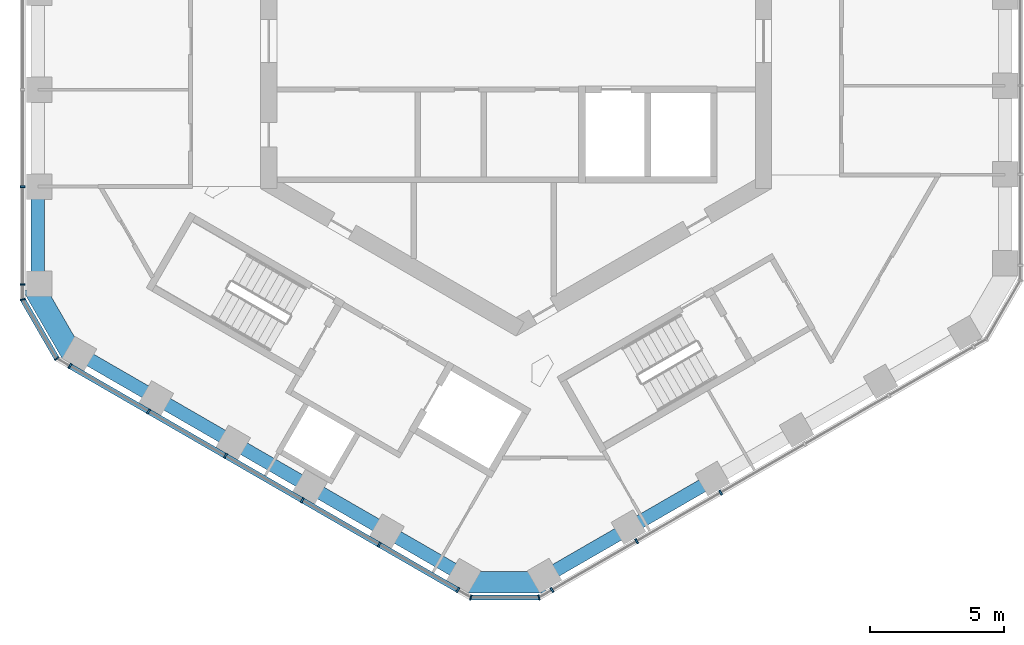
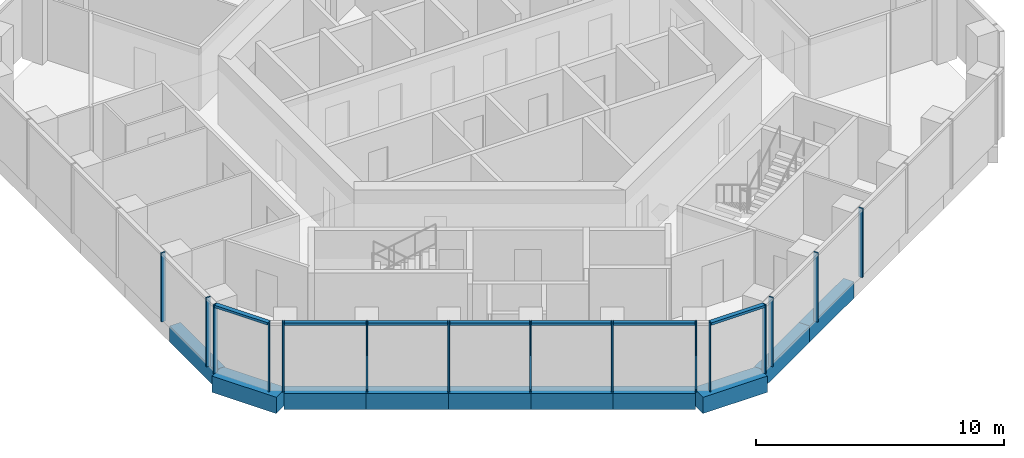
# One storey, part 2 of 18: 18 members, 10 beams, 5 elements without a shape of their own.
"""IFC4 building model written with IfcOpenShell, lengths in metres."""

from ifc_helpers import new_model, si_unit, direction, frame, origin, origin_2d, place, context, subcontext, project, spatial, rectangle, extrude, material, layer, layer_set, material_profile, profile_set, type_object, element, aggregate, save


model = new_model("IFC4")

# Units and contexts
model_context = context("Model", 3, precision=1e-05, world=origin(), true_north=direction((0.0, 1.0)))
body_context = subcontext(model_context, "Body", "Model", "MODEL_VIEW")
ifc_project = project(units=[si_unit("LENGTHUNIT", "METRE"), si_unit("AREAUNIT", "SQUARE_METRE"), si_unit("VOLUMEUNIT", "CUBIC_METRE"), si_unit("PLANEANGLEUNIT", "RADIAN"), si_unit("MASSUNIT", "GRAM", prefix="KILO")], contexts=[model_context])

# Site, building, storey
site_placement = place(None, origin())
site = spatial("IfcSite", under=ifc_project, at=site_placement, CompositionType="ELEMENT")
building_placement = place(site_placement, origin())
building = spatial("IfcBuilding", under=site, at=building_placement, Name="Ayvan Gate Tower", CompositionType="ELEMENT")
storey_placement = place(building_placement, frame((0.0, 0.0, 176.5)))
storey = spatial("IfcBuildingStorey", under=building, at=storey_placement, Name="L47", CompositionType="ELEMENT", Elevation=176.5)

# Beams
ifc_material_1 = material(Name="Concrete C40/50", Category="concrete")
ifc_material_profile_1 = material_profile(ifc_material_1, rectangle(XDim=0.800048828125, YDim=0.800048828125, at=origin_2d()), Name="RC 800x800")
ifc_profile_set_1 = profile_set([ifc_material_profile_1], Name="Concrete C40/50")
beam_type_1 = type_object("IfcBeamType", Name="Corner spandrel beam RC 800x800 C40/50", PredefinedType="BEAM", material=ifc_profile_set_1)
beam_1_placement = place(storey_placement, frame((-17.974609375, -9.1103515625, -0.75), z_axis=(0.50002537861, -0.866010750942, 0.0), x_axis=(0.866010750942, 0.50002537861, 0.0)))
element("IfcBeam", 1, at=beam_1_placement, inside=storey, type_object=beam_type_1, Name="SB-L47-24", PredefinedType="BEAM", context=body_context, shape_type="SweptSolid", body=[
    extrude(rectangle(XDim=0.800048828125, YDim=0.800048828125, at=origin_2d()), origin(), (0.0, 0.0, 1.0), 2.999755859375),
])
beam_2_placement = place(storey_placement, frame((-1.90234375, -20.12158203125, -0.75), z_axis=(1.0, 0.0, 0.0), x_axis=(0.0, 1.0, 0.0)))
element("IfcBeam", 2, at=beam_2_placement, inside=storey, type_object=beam_type_1, Name="SB-L47-30", PredefinedType="BEAM", context=body_context, shape_type="SweptSolid", body=[
    extrude(rectangle(XDim=0.800048828125, YDim=0.800048828125, at=origin_2d()), origin(), (0.0, 0.0, 1.0), 3.0),
])
ifc_material_profile_2 = material_profile(ifc_material_1, rectangle(XDim=0.5, YDim=0.800048828125, at=origin_2d()), Name="RC 500x800")
ifc_profile_set_2 = profile_set([ifc_material_profile_2], Name="Concrete C40/50")
beam_type_2 = type_object("IfcBeamType", Name="Spandrel beam RC 500x800 C40/50", PredefinedType="BEAM", material=ifc_profile_set_2)
beam_3_placement = place(storey_placement, frame((-17.7841796875, -5.400146484375, -0.75), z_axis=(0.0, -1.0, 0.0), x_axis=(1.0, 0.0, 0.0)))
element("IfcBeam", 3, at=beam_3_placement, inside=storey, type_object=beam_type_2, Name="SB-L47-23", PredefinedType="BEAM", context=body_context, shape_type="SweptSolid", body=[
    extrude(rectangle(XDim=0.5, YDim=0.800048828125, at=origin_2d()), origin(), (0.0, 0.0, 1.0), 3.60009765625),
])
beam_4_placement = place(storey_placement, frame((-16.2841796875, -11.598388671875, -0.75), z_axis=(0.86603625305, -0.49998120805, 0.0), x_axis=(0.49998120805, 0.86603625305, 0.0)))
element("IfcBeam", 4, at=beam_4_placement, inside=storey, type_object=beam_type_2, Name="SB-L47-25", PredefinedType="BEAM", context=body_context, shape_type="SweptSolid", body=[
    extrude(rectangle(XDim=0.5, YDim=0.800048828125, at=origin_2d()), origin(), (0.0, 0.0, 1.0), 3.321533203125),
])
beam_5_placement = place(storey_placement, frame((-13.40771484375, -13.259033203125, -0.75), z_axis=(0.866017876419, -0.500013037552, 0.0), x_axis=(0.500013037552, 0.866017876419, 0.0)))
element("IfcBeam", 5, at=beam_5_placement, inside=storey, type_object=beam_type_2, Name="SB-L47-26", PredefinedType="BEAM", context=body_context, shape_type="SweptSolid", body=[
    extrude(rectangle(XDim=0.5, YDim=0.800048828125, at=origin_2d()), origin(), (0.0, 0.0, 1.0), 3.3212890625),
])
beam_6_placement = place(storey_placement, frame((-10.531494140625, -14.919677734375, -0.75), z_axis=(0.86603625305, -0.49998120805, 0.0), x_axis=(0.49998120805, 0.86603625305, 0.0)))
element("IfcBeam", 6, at=beam_6_placement, inside=storey, type_object=beam_type_2, Name="SB-L47-27", PredefinedType="BEAM", context=body_context, shape_type="SweptSolid", body=[
    extrude(rectangle(XDim=0.5, YDim=0.800048828125, at=origin_2d()), origin(), (0.0, 0.0, 1.0), 3.321533203125),
])
beam_7_placement = place(storey_placement, frame((-7.655029296875, -16.580322265625, -0.75), z_axis=(0.866017876419, -0.500013037552, 0.0), x_axis=(0.500013037552, 0.866017876419, 0.0)))
element("IfcBeam", 7, at=beam_7_placement, inside=storey, type_object=beam_type_2, Name="SB-L47-28", PredefinedType="BEAM", context=body_context, shape_type="SweptSolid", body=[
    extrude(rectangle(XDim=0.5, YDim=0.800048828125, at=origin_2d()), origin(), (0.0, 0.0, 1.0), 3.3212890625),
])
beam_8_placement = place(storey_placement, frame((-4.77880859375, -18.240966796875, -0.75), z_axis=(0.86603625305, -0.49998120805, 0.0), x_axis=(0.49998120805, 0.86603625305, 0.0)))
element("IfcBeam", 8, at=beam_8_placement, inside=storey, type_object=beam_type_2, Name="SB-L47-29", PredefinedType="BEAM", context=body_context, shape_type="SweptSolid", body=[
    extrude(rectangle(XDim=0.5, YDim=0.800048828125, at=origin_2d()), origin(), (0.0, 0.0, 1.0), 3.321533203125),
])
beam_9_placement = place(storey_placement, frame((1.09765625, -19.901611328125, -0.75), z_axis=(0.866018442252, 0.500012057535, 0.0), x_axis=(-0.500012057535, 0.866018442252, 0.0)))
element("IfcBeam", 9, at=beam_9_placement, inside=storey, type_object=beam_type_2, Name="SB-L47-31", PredefinedType="BEAM", context=body_context, shape_type="SweptSolid", body=[
    extrude(rectangle(XDim=0.5, YDim=0.800048828125, at=origin_2d()), origin(), (0.0, 0.0, 1.0), 3.60009765625),
])
beam_10_placement = place(storey_placement, frame((4.21533203125, -18.1015625, -0.75), z_axis=(0.866035395735, 0.499982693035, 0.0), x_axis=(-0.499982693035, 0.866035395735, 0.0)))
element("IfcBeam", 10, at=beam_10_placement, inside=storey, type_object=beam_type_2, Name="SB-L47-32", PredefinedType="BEAM", context=body_context, shape_type="SweptSolid", body=[
    extrude(rectangle(XDim=0.5, YDim=0.800048828125, at=origin_2d()), origin(), (0.0, 0.0, 1.0), 3.600341796875),
])

# Curtain wall, members
ifc_material_2 = material(Name="Bronze anodised aluminium", Category="aluminium")
ifc_layer_1 = layer(ifc_material_2, 0.199951171875)
ifc_layer_set_1 = layer_set([ifc_layer_1], Name="Bronze anodised aluminium")
curtain_wall_type_1 = type_object("IfcCurtainWallType", Name="Stick curtain wall CW-2", PredefinedType="NOTDEFINED", material=ifc_layer_set_1)
curtain_wall_1_placement = place(storey_placement, origin())
curtain_wall_1 = element("IfcCurtainWall", 11, at=curtain_wall_1_placement, inside=storey, type_object=curtain_wall_type_1, Name="Stick curtain wall CW-2 L47", PredefinedType="NOTDEFINED")
ifc_material_profile_3 = material_profile(ifc_material_2, rectangle(XDim=0.199951171875, YDim=0.070068359375, at=origin_2d()), Name="Stick curtain wall CW-2 mullion 200 x 70")
ifc_profile_set_3 = profile_set([ifc_material_profile_3], Name="Bronze anodised aluminium")
member_type_1 = type_object("IfcMemberType", Name="Stick curtain wall CW-2 mullion 200 x 70", PredefinedType="MULLION", material=ifc_profile_set_3)
member_1_placement = place(storey_placement, frame((-18.34619140625, -5.41455078125, 0.0), z_axis=(0.0, 0.0, 1.0), x_axis=(-1.0, 0.0, 0.0)))
member_1 = element("IfcMember", 12, at=member_1_placement, type_object=member_type_1, Name="CW-2 mullion 5", PredefinedType="MULLION", context=body_context, shape_type="SweptSolid", body=[
    extrude(rectangle(XDim=0.199951171875, YDim=0.070068359375, at=origin_2d()), origin(), (0.0, 0.0, 1.0), 3.39990234375),
])
member_2_placement = place(storey_placement, frame((-18.34619140625, -9.048583984375, 0.0), z_axis=(0.0, 0.0, 1.0), x_axis=(-1.0, 0.0, 0.0)))
member_2 = element("IfcMember", 13, at=member_2_placement, type_object=member_type_1, Name="CW-2 mullion 6", PredefinedType="MULLION", context=body_context, shape_type="SweptSolid", body=[
    extrude(rectangle(XDim=0.199951171875, YDim=0.070068359375, at=origin_2d()), origin(), (0.0, 0.0, 1.0), 3.39990234375),
])
aggregate(curtain_wall_1, [member_1, member_2])

curtain_wall_2_placement = place(storey_placement, origin())
curtain_wall_2 = element("IfcCurtainWall", 14, at=curtain_wall_2_placement, inside=storey, type_object=curtain_wall_type_1, Name="Stick curtain wall CW-2 L47", PredefinedType="NOTDEFINED")
member_3_placement = place(storey_placement, frame((-16.59375, -12.08349609375, 0.0), z_axis=(0.0, 0.0, 1.0), x_axis=(-0.5, -0.866025403784, 0.0)))
member_3 = element("IfcMember", 15, at=member_3_placement, type_object=member_type_1, Name="CW-2 mullion 1", PredefinedType="MULLION", context=body_context, shape_type="SweptSolid", body=[
    extrude(rectangle(XDim=0.199951171875, YDim=0.070068359375, at=origin_2d()), origin(), (0.0, 0.0, 1.0), 3.39990234375),
])
member_4_placement = place(storey_placement, frame((-13.669189453125, -13.77197265625, 0.0), z_axis=(0.0, 0.0, 1.0), x_axis=(-0.5, -0.866025403784, 0.0)))
member_4 = element("IfcMember", 16, at=member_4_placement, type_object=member_type_1, Name="CW-2 mullion 2", PredefinedType="MULLION", context=body_context, shape_type="SweptSolid", body=[
    extrude(rectangle(XDim=0.199951171875, YDim=0.070068359375, at=origin_2d()), origin(), (0.0, 0.0, 1.0), 3.39990234375),
])
member_5_placement = place(storey_placement, frame((-10.810546875, -15.422607421875, 0.0), z_axis=(0.0, 0.0, 1.0), x_axis=(-0.5, -0.866025403784, 0.0)))
member_5 = element("IfcMember", 17, at=member_5_placement, type_object=member_type_1, Name="CW-2 mullion 3", PredefinedType="MULLION", context=body_context, shape_type="SweptSolid", body=[
    extrude(rectangle(XDim=0.199951171875, YDim=0.070068359375, at=origin_2d()), origin(), (0.0, 0.0, 1.0), 3.39990234375),
])
member_6_placement = place(storey_placement, frame((-7.950927734375, -17.073486328125, 0.0), z_axis=(0.0, 0.0, 1.0), x_axis=(-0.5, -0.866025403784, 0.0)))
member_6 = element("IfcMember", 18, at=member_6_placement, type_object=member_type_1, Name="CW-2 mullion 4", PredefinedType="MULLION", context=body_context, shape_type="SweptSolid", body=[
    extrude(rectangle(XDim=0.199951171875, YDim=0.070068359375, at=origin_2d()), origin(), (0.0, 0.0, 1.0), 3.39990234375),
])
member_7_placement = place(storey_placement, frame((-5.09228515625, -18.723876953125, 0.0), z_axis=(0.0, 0.0, 1.0), x_axis=(-0.5, -0.866025403784, 0.0)))
member_7 = element("IfcMember", 19, at=member_7_placement, type_object=member_type_1, Name="CW-2 mullion 5", PredefinedType="MULLION", context=body_context, shape_type="SweptSolid", body=[
    extrude(rectangle(XDim=0.199951171875, YDim=0.070068359375, at=origin_2d()), origin(), (0.0, 0.0, 1.0), 3.39990234375),
])
member_8_placement = place(storey_placement, frame((-2.167724609375, -20.412353515625, 0.0), z_axis=(0.0, 0.0, 1.0), x_axis=(-0.5, -0.866025403784, 0.0)))
member_8 = element("IfcMember", 20, at=member_8_placement, type_object=member_type_1, Name="CW-2 mullion 6", PredefinedType="MULLION", context=body_context, shape_type="SweptSolid", body=[
    extrude(rectangle(XDim=0.199951171875, YDim=0.070068359375, at=origin_2d()), origin(), (0.0, 0.0, 1.0), 3.39990234375),
])

curtain_wall_3_placement = place(storey_placement, origin())
curtain_wall_3 = element("IfcCurtainWall", 21, at=curtain_wall_3_placement, inside=storey, type_object=curtain_wall_type_1, Name="Stick curtain wall CW-2 L47", PredefinedType="NOTDEFINED")
member_9_placement = place(storey_placement, frame((1.3369140625, -20.412353515625, 0.0), z_axis=(0.0, 0.0, 1.0), x_axis=(0.5, -0.866025403784, 0.0)))
member_9 = element("IfcMember", 22, at=member_9_placement, type_object=member_type_1, Name="CW-2 mullion 1", PredefinedType="MULLION", context=body_context, shape_type="SweptSolid", body=[
    extrude(rectangle(XDim=0.199951171875, YDim=0.070068359375, at=origin_2d()), origin(), (0.0, 0.0, 1.0), 3.39990234375),
])
member_10_placement = place(storey_placement, frame((4.48388671875, -18.595458984375, 0.0), z_axis=(0.0, 0.0, 1.0), x_axis=(0.5, -0.866025403784, 0.0)))
member_10 = element("IfcMember", 23, at=member_10_placement, type_object=member_type_1, Name="CW-2 mullion 2", PredefinedType="MULLION", context=body_context, shape_type="SweptSolid", body=[
    extrude(rectangle(XDim=0.199951171875, YDim=0.070068359375, at=origin_2d()), origin(), (0.0, 0.0, 1.0), 3.39990234375),
])
member_11_placement = place(storey_placement, frame((7.6103515625, -16.79052734375, 0.0), z_axis=(0.0, 0.0, 1.0), x_axis=(0.5, -0.866025403784, 0.0)))
member_11 = element("IfcMember", 24, at=member_11_placement, type_object=member_type_1, Name="CW-2 mullion 3", PredefinedType="MULLION", context=body_context, shape_type="SweptSolid", body=[
    extrude(rectangle(XDim=0.199951171875, YDim=0.070068359375, at=origin_2d()), origin(), (0.0, 0.0, 1.0), 3.39990234375),
])
aggregate(curtain_wall_3, [member_9, member_10, member_11])

# Member
ifc_material_profile_4 = material_profile(ifc_material_2, rectangle(XDim=0.199951171875, YDim=0.1201171875, at=origin_2d()), Name="Stick curtain wall CW-2 transom 200 x 120")
ifc_profile_set_4 = profile_set([ifc_material_profile_4], Name="Bronze anodised aluminium")
member_type_2 = type_object("IfcMemberType", Name="Stick curtain wall CW-2 transom 200 x 120", PredefinedType="USERDEFINED", material=ifc_profile_set_4)
member_12_placement = place(storey_placement, frame((-16.59375, -12.08349609375, 3.340087890625), z_axis=(0.866025721459, -0.499999449772, 0.0), x_axis=(0.499999449772, 0.866025721459, 0.0)))
member_12 = element("IfcMember", 25, at=member_12_placement, type_object=member_type_2, Name="CW-2 transom 1", ObjectType="TRANSOM", PredefinedType="USERDEFINED", context=body_context, shape_type="SweptSolid", body=[
    extrude(rectangle(XDim=0.199951171875, YDim=0.1201171875, at=origin_2d()), origin(), (0.0, 0.0, 1.0), 16.65771484375),
])

aggregate(curtain_wall_2, [member_3, member_4, member_5, member_6, member_7, member_8, member_12])

# Curtain wall, members
ifc_layer_2 = layer(ifc_material_2, 0.199951171875)
ifc_layer_set_2 = layer_set([ifc_layer_2], Name="Bronze anodised aluminium")
curtain_wall_type_2 = type_object("IfcCurtainWallType", Name="Stick curtain wall CW-6", PredefinedType="NOTDEFINED", material=ifc_layer_set_2)
curtain_wall_4_placement = place(storey_placement, origin())
curtain_wall_4 = element("IfcCurtainWall", 26, at=curtain_wall_4_placement, inside=storey, type_object=curtain_wall_type_2, Name="Stick curtain wall CW-6 L47", PredefinedType="NOTDEFINED")
ifc_material_profile_5 = material_profile(ifc_material_2, rectangle(XDim=0.199951171875, YDim=0.050048828125, at=origin_2d()), Name="Stick curtain wall CW-6 mullion 200 x 50")
ifc_profile_set_5 = profile_set([ifc_material_profile_5], Name="Bronze anodised aluminium")
member_type_3 = type_object("IfcMemberType", Name="Stick curtain wall CW-6 mullion 200 x 50", PredefinedType="MULLION", material=ifc_profile_set_5)
member_13_placement = place(storey_placement, frame((-18.34619140625, -9.6083984375, 0.0), z_axis=(0.0, 0.0, 1.0), x_axis=(-0.965925826289, -0.258819045103, 0.0)))
member_13 = element("IfcMember", 27, at=member_13_placement, type_object=member_type_3, Name="CW-6 mullion 2", PredefinedType="MULLION", context=body_context, shape_type="SweptSolid", body=[
    extrude(rectangle(XDim=0.199951171875, YDim=0.050048828125, at=origin_2d()), origin(), (0.0, 0.0, 1.0), 3.39990234375),
])
member_14_placement = place(storey_placement, frame((-17.078857421875, -11.803466796875, 0.0), z_axis=(0.0, 0.0, 1.0), x_axis=(-0.707106781187, -0.707106781187, 0.0)))
member_14 = element("IfcMember", 28, at=member_14_placement, type_object=member_type_3, Name="CW-6 mullion 3", PredefinedType="MULLION", context=body_context, shape_type="SweptSolid", body=[
    extrude(rectangle(XDim=0.199951171875, YDim=0.050048828125, at=origin_2d()), origin(), (0.0, 0.0, 1.0), 3.39990234375),
])

curtain_wall_5_placement = place(storey_placement, origin())
curtain_wall_5 = element("IfcCurtainWall", 29, at=curtain_wall_5_placement, inside=storey, type_object=curtain_wall_type_2, Name="Stick curtain wall CW-6 L47", PredefinedType="NOTDEFINED")
member_15_placement = place(storey_placement, frame((-1.6826171875, -20.6923828125, 0.0), z_axis=(0.0, 0.0, 1.0), x_axis=(-0.258819045103, -0.965925826289, 0.0)))
member_15 = element("IfcMember", 30, at=member_15_placement, type_object=member_type_3, Name="CW-6 mullion 2", PredefinedType="MULLION", context=body_context, shape_type="SweptSolid", body=[
    extrude(rectangle(XDim=0.199951171875, YDim=0.050048828125, at=origin_2d()), origin(), (0.0, 0.0, 1.0), 3.39990234375),
])
member_16_placement = place(storey_placement, frame((0.851806640625, -20.6923828125, 0.0), z_axis=(0.0, 0.0, 1.0), x_axis=(0.258819045103, -0.965925826289, 0.0)))
member_16 = element("IfcMember", 31, at=member_16_placement, type_object=member_type_3, Name="CW-6 mullion 3", PredefinedType="MULLION", context=body_context, shape_type="SweptSolid", body=[
    extrude(rectangle(XDim=0.199951171875, YDim=0.050048828125, at=origin_2d()), origin(), (0.0, 0.0, 1.0), 3.39990234375),
])

# Member
ifc_material_profile_6 = material_profile(ifc_material_2, rectangle(XDim=0.199951171875, YDim=0.1201171875, at=origin_2d()), Name="Stick curtain wall CW-6 transom 200 x 120")
ifc_profile_set_6 = profile_set([ifc_material_profile_6], Name="Bronze anodised aluminium")
member_type_4 = type_object("IfcMemberType", Name="Stick curtain wall CW-6 transom 200 x 120", PredefinedType="USERDEFINED", material=ifc_profile_set_6)
member_17_placement = place(storey_placement, frame((-18.33349609375, -9.630126953125, 3.340087890625), z_axis=(0.499986149909, -0.86603339999, 0.0), x_axis=(0.86603339999, 0.499986149909, 0.0)))
member_17 = element("IfcMember", 32, at=member_17_placement, type_object=member_type_4, Name="CW-6 transom 2", ObjectType="TRANSOM", PredefinedType="USERDEFINED", context=body_context, shape_type="SweptSolid", body=[
    extrude(rectangle(XDim=0.199951171875, YDim=0.1201171875, at=origin_2d()), origin(), (0.0, 0.0, 1.0), 2.484375),
])

aggregate(curtain_wall_4, [member_13, member_14, member_17])

member_18_placement = place(storey_placement, frame((-1.65771484375, -20.6923828125, 3.340087890625), z_axis=(1.0, 0.0, 0.0), x_axis=(0.0, 1.0, 0.0)))
member_18 = element("IfcMember", 33, at=member_18_placement, type_object=member_type_4, Name="CW-6 transom 2", ObjectType="TRANSOM", PredefinedType="USERDEFINED", context=body_context, shape_type="SweptSolid", body=[
    extrude(rectangle(XDim=0.199951171875, YDim=0.1201171875, at=origin_2d()), origin(), (0.0, 0.0, 1.0), 2.484619140625),
])

aggregate(curtain_wall_5, [member_15, member_16, member_18])

save(model, "model.ifc")
